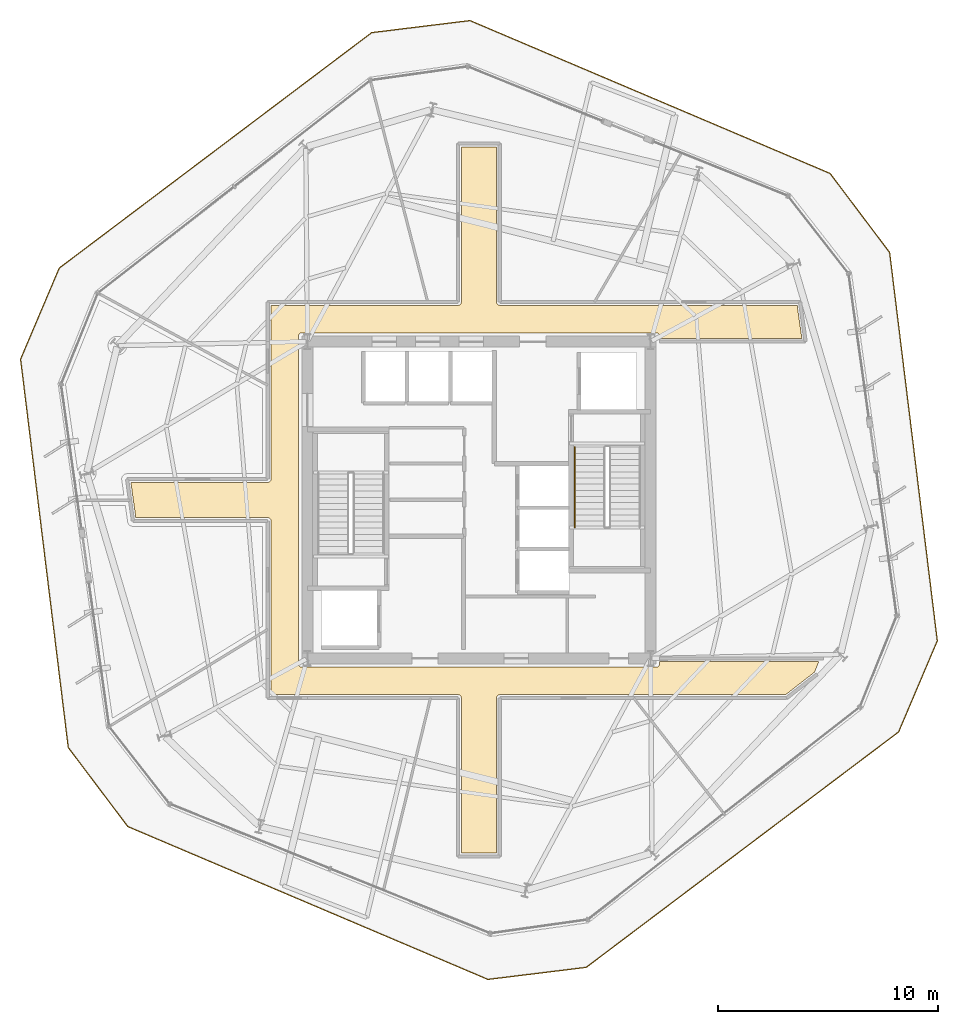
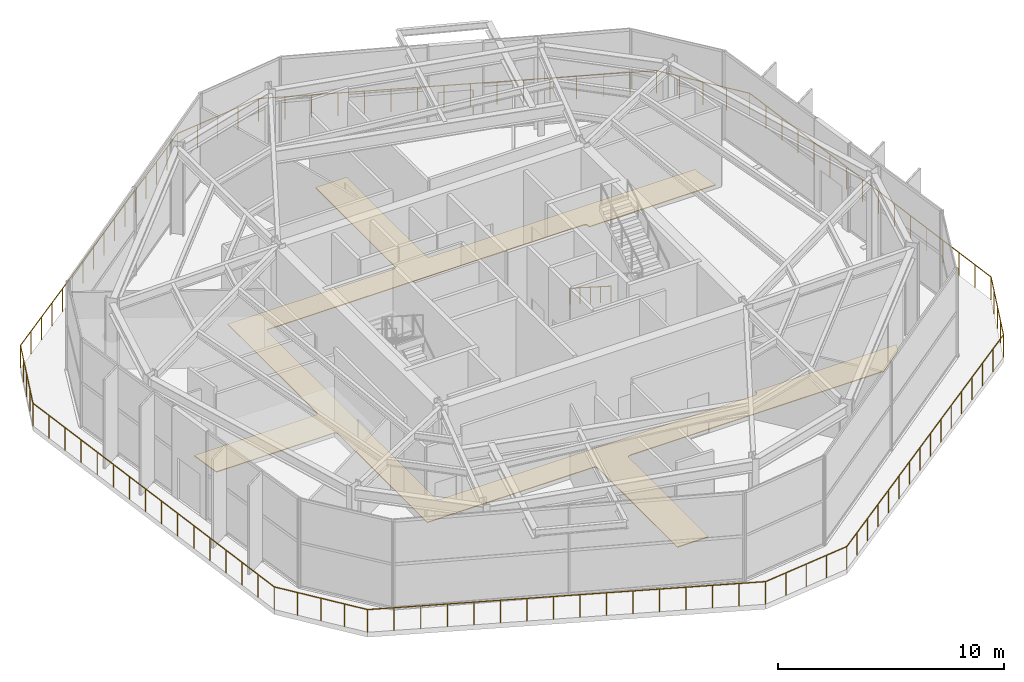
# One storey, part 13 of 14: 2 railings, 1 covering.
"""IFC4 building model written with IfcOpenShell, lengths in metres."""

from ifc_helpers import new_model, si_unit, direction, frame, origin, origin_2d, place, context, subcontext, project, spatial, polyline, circle, outline, extrude, material, layer, layer_set, type_object, element, save


model = new_model("IFC4")

# Units and contexts
model_context = context("Model", 3, precision=1e-05, world=origin(), true_north=direction((0.0, 1.0)))
body_context = subcontext(model_context, "Body", "Model", "MODEL_VIEW")
ifc_project = project(units=[si_unit("LENGTHUNIT", "METRE"), si_unit("AREAUNIT", "SQUARE_METRE"), si_unit("VOLUMEUNIT", "CUBIC_METRE"), si_unit("PLANEANGLEUNIT", "RADIAN"), si_unit("MASSUNIT", "GRAM", prefix="KILO")], contexts=[model_context])

# Site, building, storey
site_placement = place(None, origin())
site = spatial("IfcSite", under=ifc_project, at=site_placement, CompositionType="ELEMENT")
building_placement = place(site_placement, origin())
building = spatial("IfcBuilding", under=site, at=building_placement, Name="Kranzbogen Civic Tower", CompositionType="ELEMENT")
storey_placement = place(building_placement, frame((0.0, 0.0, 175.800048828125)))
storey = spatial("IfcBuildingStorey", under=building, at=storey_placement, Name="L42", CompositionType="ELEMENT", Elevation=175.800048828125)

# Covering
ifc_material_1 = material(Name="Honed Natural Stone Flooring", Category="masonry")
ifc_layer = layer(ifc_material_1, 0.0400390625, Name="Honed Natural Stone Flooring")
ifc_layer_set = layer_set([ifc_layer], Name="Honed Natural Stone Flooring")
covering_type = type_object("IfcCoveringType", Name="Honed Limestone Lobby Flooring 40 mm", PredefinedType="FLOORING", material=ifc_layer_set)
covering_placement = place(storey_placement, origin())
element("IfcCovering", 1, at=covering_placement, inside=storey, type_object=covering_type, Name="L42 concourse stone flooring 1", PredefinedType="FLOORING", context=body_context, shape_type="SweptSolid", body=[
    extrude(outline(polyline([(15.550048828125, 16.14990234375), (15.550048828125, 24.050048828125), (15.549072265625, 24.06494140625), (15.547119140625, 24.0791015625), (15.5439453125, 24.093994140625), (15.5390625, 24.10693359375), (15.531982421875, 24.12109375), (15.52490234375, 24.133056640625), (15.51611328125, 24.14501953125), (15.506103515625, 24.156005859375), (15.4951171875, 24.166015625), (15.48291015625, 24.175048828125), (15.470947265625, 24.181884765625), (15.45703125, 24.18896484375), (15.444091796875, 24.194091796875), (15.428955078125, 24.197021484375), (15.4150390625, 24.198974609375), (15.39990234375, 24.199951171875), (9.404052734375, 24.199951171875), (9.179931640625, 25.800048828125), (15.39990234375, 25.800048828125), (15.4150390625, 25.801025390625), (15.428955078125, 25.802978515625), (15.444091796875, 25.805908203125), (15.45703125, 25.81103515625), (15.470947265625, 25.818115234375), (15.48291015625, 25.824951171875), (15.4951171875, 25.833984375), (15.506103515625, 25.843994140625), (15.51611328125, 25.85498046875), (15.52490234375, 25.866943359375), (15.531982421875, 25.87890625), (15.5390625, 25.89306640625), (15.5439453125, 25.906005859375), (15.547119140625, 25.9208984375), (15.549072265625, 25.93505859375), (15.550048828125, 25.949951171875), (15.550048828125, 33.85009765625), (24.050048828125, 33.85009765625), (24.06494140625, 33.85107421875), (24.0791015625, 33.85302734375), (24.093994140625, 33.85595703125), (24.10693359375, 33.861083984375), (24.12109375, 33.867919921875), (24.133056640625, 33.875), (24.14501953125, 33.884033203125), (24.156005859375, 33.89404296875), (24.166015625, 33.905029296875), (24.175048828125, 33.9169921875), (24.181884765625, 33.928955078125), (24.18896484375, 33.943115234375), (24.194091796875, 33.9560546875), (24.197021484375, 33.970947265625), (24.198974609375, 33.985107421875), (24.199951171875, 34.0), (24.199951171875, 41.050048828125), (25.800048828125, 41.050048828125), (25.800048828125, 34.0), (25.801025390625, 33.985107421875), (25.802978515625, 33.970947265625), (25.805908203125, 33.9560546875), (25.81103515625, 33.943115234375), (25.818115234375, 33.928955078125), (25.824951171875, 33.9169921875), (25.833984375, 33.905029296875), (25.843994140625, 33.89404296875), (25.85498046875, 33.884033203125), (25.866943359375, 33.875), (25.87890625, 33.867919921875), (25.89306640625, 33.861083984375), (25.906005859375, 33.85595703125), (25.9208984375, 33.85302734375), (25.93505859375, 33.85107421875), (25.949951171875, 33.85009765625), (39.464111328125, 33.85009765625), (39.675048828125, 32.35009765625), (33.199951171875, 32.35009765625), (33.199951171875, 32.449951171875), (33.198974609375, 32.465087890625), (33.197021484375, 32.47900390625), (33.194091796875, 32.493896484375), (33.18896484375, 32.507080078125), (33.181884765625, 32.52099609375), (33.175048828125, 32.532958984375), (33.166015625, 32.544921875), (33.156005859375, 32.555908203125), (33.14501953125, 32.56591796875), (33.133056640625, 32.574951171875), (33.12109375, 32.58203125), (33.10693359375, 32.589111328125), (33.093994140625, 32.593994140625), (33.0791015625, 32.596923828125), (33.06494140625, 32.59912109375), (33.050048828125, 32.60009765625), (16.949951171875, 32.60009765625), (16.93505859375, 32.59912109375), (16.9208984375, 32.596923828125), (16.906005859375, 32.593994140625), (16.89306640625, 32.589111328125), (16.87890625, 32.58203125), (16.866943359375, 32.574951171875), (16.85498046875, 32.56591796875), (16.843994140625, 32.555908203125), (16.833984375, 32.544921875), (16.824951171875, 32.532958984375), (16.818115234375, 32.52099609375), (16.81103515625, 32.507080078125), (16.805908203125, 32.493896484375), (16.802978515625, 32.47900390625), (16.801025390625, 32.465087890625), (16.800048828125, 32.449951171875), (16.800048828125, 17.550048828125), (16.801025390625, 17.534912109375), (16.802978515625, 17.52099609375), (16.805908203125, 17.506103515625), (16.81103515625, 17.492919921875), (16.818115234375, 17.47900390625), (16.824951171875, 17.467041015625), (16.833984375, 17.455078125), (16.843994140625, 17.444091796875), (16.85498046875, 17.43408203125), (16.866943359375, 17.425048828125), (16.87890625, 17.41796875), (16.89306640625, 17.410888671875), (16.906005859375, 17.406005859375), (16.9208984375, 17.403076171875), (16.93505859375, 17.40087890625), (16.949951171875, 17.39990234375), (33.050048828125, 17.39990234375), (33.06494140625, 17.40087890625), (33.0791015625, 17.403076171875), (33.093994140625, 17.406005859375), (33.10693359375, 17.410888671875), (33.12109375, 17.41796875), (33.133056640625, 17.425048828125), (33.14501953125, 17.43408203125), (33.156005859375, 17.444091796875), (33.166015625, 17.455078125), (33.175048828125, 17.467041015625), (33.181884765625, 17.47900390625), (33.18896484375, 17.492919921875), (33.194091796875, 17.506103515625), (33.197021484375, 17.52099609375), (33.198974609375, 17.534912109375), (33.199951171875, 17.550048828125), (33.199951171875, 17.64990234375), (40.443115234375, 17.64990234375), (40.2509765625, 17.176025390625), (38.93798828125, 16.14990234375), (25.949951171875, 16.14990234375), (25.93505859375, 16.14892578125), (25.9208984375, 16.14697265625), (25.906005859375, 16.14404296875), (25.89306640625, 16.138916015625), (25.87890625, 16.132080078125), (25.866943359375, 16.125), (25.85498046875, 16.115966796875), (25.843994140625, 16.10595703125), (25.833984375, 16.094970703125), (25.824951171875, 16.0830078125), (25.818115234375, 16.071044921875), (25.81103515625, 16.056884765625), (25.805908203125, 16.0439453125), (25.802978515625, 16.029052734375), (25.801025390625, 16.014892578125), (25.800048828125, 16.0), (25.800048828125, 8.949951171875), (24.199951171875, 8.949951171875), (24.199951171875, 16.0), (24.198974609375, 16.014892578125), (24.197021484375, 16.029052734375), (24.194091796875, 16.0439453125), (24.18896484375, 16.056884765625), (24.181884765625, 16.071044921875), (24.175048828125, 16.0830078125), (24.166015625, 16.094970703125), (24.156005859375, 16.10595703125), (24.14501953125, 16.115966796875), (24.133056640625, 16.125), (24.12109375, 16.132080078125), (24.10693359375, 16.138916015625), (24.093994140625, 16.14404296875), (24.0791015625, 16.14697265625), (24.06494140625, 16.14892578125), (24.050048828125, 16.14990234375), (15.550048828125, 16.14990234375)])), origin(), (0.0, 0.0, 1.0), 0.0400390625),
])

# Railings
ifc_material_2 = material(Name="Pale Anodised Aluminium", Category="aluminium")
railing_type_1 = type_object("IfcRailingType", Name="Setback and Roof Garden Safety Balustrade 1250", PredefinedType="BALUSTRADE", material=ifc_material_2)
railing_1_placement = place(storey_placement, frame((40.9599609375, 39.843994140625, 0.0)))
element("IfcRailing", 2, at=railing_1_placement, inside=storey, type_object=railing_type_1, Name="L42 setback terrace perimeter balustrade", PredefinedType="BALUSTRADE", context=body_context, shape_type="SweptSolid", body=[
    extrude(circle(Radius=0.02392578125, at=origin_2d()), frame((0.0, 0.0, 1.22607421875), z_axis=(-0.920508621129, 0.390722252281, 0.0), x_axis=(-0.390722252281, -0.920508621129, 0.0)), (0.0, 0.0, 1.0), 17.782470703125),
    extrude(circle(Radius=0.02392578125, at=origin_2d()), frame((-16.368896484375, 6.947998046875, 1.22607421875), z_axis=(-0.992553356095, -0.121810653498, 0.0), x_axis=(0.121810653498, -0.992553356095, 0.0)), (0.0, 0.0, 1.0), 4.49951171875),
    extrude(circle(Radius=0.02392578125, at=origin_2d()), frame((-20.8349609375, 6.39990234375, 1.22607421875), z_axis=(-0.798635461538, -0.601815087526, 0.0), x_axis=(0.601815087526, -0.798635461538, 0.0)), (0.0, 0.0, 1.0), 17.78271484375),
    extrude(circle(Radius=0.02392578125, at=origin_2d()), frame((-35.036865234375, -4.302001953125, 1.22607421875), z_axis=(-0.390701717775, -0.920517337005, 0.0), x_axis=(0.920517337005, -0.390701717775, 0.0)), (0.0, 0.0, 1.0), 4.499755859375),
    extrude(circle(Radius=0.02392578125, at=origin_2d()), frame((-36.794921875, -8.444091796875, 1.22607421875), z_axis=(0.121861403367, -0.992547126523, 0.0), x_axis=(0.992547126523, 0.121861403367, 0.0)), (0.0, 0.0, 1.0), 17.782470703125),
    extrude(circle(Radius=0.02392578125, at=origin_2d()), frame((-34.6279296875, -26.093994140625, 1.22607421875), z_axis=(0.601778025116, -0.798663388724, 0.0), x_axis=(0.798663388724, 0.601778025116, 0.0)), (0.0, 0.0, 1.0), 4.5),
    extrude(circle(Radius=0.02392578125, at=origin_2d()), frame((-31.919921875, -29.68798828125, 1.22607421875), z_axis=(0.920508621129, -0.390722252281, 0.0), x_axis=(0.390722252281, 0.920508621129, 0.0)), (0.0, 0.0, 1.0), 17.782470703125),
    extrude(circle(Radius=0.02392578125, at=origin_2d()), frame((-15.551025390625, -36.635986328125, 1.22607421875), z_axis=(0.992553356095, 0.121810653498, 0.0), x_axis=(-0.121810653498, 0.992553356095, 0.0)), (0.0, 0.0, 1.0), 4.49951171875),
    extrude(circle(Radius=0.02392578125, at=origin_2d()), frame((-11.0849609375, -36.087890625, 1.22607421875), z_axis=(0.798635461538, 0.601815087526, 0.0), x_axis=(-0.601815087526, 0.798635461538, 0.0)), (0.0, 0.0, 1.0), 17.78271484375),
    extrude(circle(Radius=0.02392578125, at=origin_2d()), frame((3.116943359375, -25.385986328125, 1.22607421875), z_axis=(0.390701717775, 0.920517337005, 0.0), x_axis=(-0.920517337005, 0.390701717775, 0.0)), (0.0, 0.0, 1.0), 4.499755859375),
    extrude(circle(Radius=0.02392578125, at=origin_2d()), frame((4.875, -21.243896484375, 1.22607421875), z_axis=(-0.121861403367, 0.992547126523, 0.0), x_axis=(-0.992547126523, -0.121861403367, 0.0)), (0.0, 0.0, 1.0), 17.782470703125),
    extrude(circle(Radius=0.02392578125, at=origin_2d()), frame((2.7080078125, -3.593994140625, 1.22607421875), z_axis=(-0.601778025116, 0.798663388724, 0.0), x_axis=(-0.798663388724, -0.601778025116, 0.0)), (0.0, 0.0, 1.0), 4.5),
    extrude(circle(Radius=0.02099609375, at=origin_2d()), origin(), (0.0, 0.0, 1.0), 1.201904296875),
    extrude(circle(Radius=0.02099609375, at=origin_2d()), frame((-1.09130859375, 0.463134765625, 0.0)), (0.0, 0.0, 1.0), 1.201904296875),
    extrude(circle(Radius=0.02099609375, at=origin_2d()), frame((-2.1826171875, 0.926513671875, 0.0)), (0.0, 0.0, 1.0), 1.201904296875),
    extrude(circle(Radius=0.02099609375, at=origin_2d()), frame((-3.273681640625, 1.3896484375, 0.0)), (0.0, 0.0, 1.0), 1.201904296875),
    extrude(circle(Radius=0.02099609375, at=origin_2d()), frame((-4.364990234375, 1.852783203125, 0.0)), (0.0, 0.0, 1.0), 1.201904296875),
    extrude(circle(Radius=0.02099609375, at=origin_2d()), frame((-5.456298828125, 2.31591796875, 0.0)), (0.0, 0.0, 1.0), 1.201904296875),
    extrude(circle(Radius=0.02099609375, at=origin_2d()), frame((-6.547607421875, 2.779296875, 0.0)), (0.0, 0.0, 1.0), 1.201904296875),
    extrude(circle(Radius=0.02099609375, at=origin_2d()), frame((-7.638916015625, 3.242431640625, 0.0)), (0.0, 0.0, 1.0), 1.201904296875),
    extrude(circle(Radius=0.02099609375, at=origin_2d()), frame((-8.72998046875, 3.70556640625, 0.0)), (0.0, 0.0, 1.0), 1.201904296875),
    extrude(circle(Radius=0.02099609375, at=origin_2d()), frame((-9.8212890625, 4.168701171875, 0.0)), (0.0, 0.0, 1.0), 1.201904296875),
    extrude(circle(Radius=0.02099609375, at=origin_2d()), frame((-10.91259765625, 4.632080078125, 0.0)), (0.0, 0.0, 1.0), 1.201904296875),
    extrude(circle(Radius=0.02099609375, at=origin_2d()), frame((-12.00390625, 5.09521484375, 0.0)), (0.0, 0.0, 1.0), 1.201904296875),
    extrude(circle(Radius=0.02099609375, at=origin_2d()), frame((-13.09521484375, 5.558349609375, 0.0)), (0.0, 0.0, 1.0), 1.201904296875),
    extrude(circle(Radius=0.02099609375, at=origin_2d()), frame((-14.186279296875, 6.021484375, 0.0)), (0.0, 0.0, 1.0), 1.201904296875),
    extrude(circle(Radius=0.02099609375, at=origin_2d()), frame((-15.277587890625, 6.48486328125, 0.0)), (0.0, 0.0, 1.0), 1.201904296875),
    extrude(circle(Radius=0.02099609375, at=origin_2d()), frame((-16.368896484375, 6.947998046875, 0.0)), (0.0, 0.0, 1.0), 1.201904296875),
    extrude(circle(Radius=0.02099609375, at=origin_2d()), frame((-17.4853515625, 6.81103515625, 0.0)), (0.0, 0.0, 1.0), 1.201904296875),
    extrude(circle(Radius=0.02099609375, at=origin_2d()), frame((-18.60205078125, 6.673828125, 0.0)), (0.0, 0.0, 1.0), 1.201904296875),
    extrude(circle(Radius=0.02099609375, at=origin_2d()), frame((-19.718505859375, 6.536865234375, 0.0)), (0.0, 0.0, 1.0), 1.201904296875),
    extrude(circle(Radius=0.02099609375, at=origin_2d()), frame((-20.8349609375, 6.39990234375, 0.0)), (0.0, 0.0, 1.0), 1.201904296875),
    extrude(circle(Radius=0.02099609375, at=origin_2d()), frame((-21.78173828125, 5.6865234375, 0.0)), (0.0, 0.0, 1.0), 1.201904296875),
    extrude(circle(Radius=0.02099609375, at=origin_2d()), frame((-22.728515625, 4.972900390625, 0.0)), (0.0, 0.0, 1.0), 1.201904296875),
    extrude(circle(Radius=0.02099609375, at=origin_2d()), frame((-23.67529296875, 4.259521484375, 0.0)), (0.0, 0.0, 1.0), 1.201904296875),
    extrude(circle(Radius=0.02099609375, at=origin_2d()), frame((-24.6220703125, 3.546142578125, 0.0)), (0.0, 0.0, 1.0), 1.201904296875),
    extrude(circle(Radius=0.02099609375, at=origin_2d()), frame((-25.56884765625, 2.83251953125, 0.0)), (0.0, 0.0, 1.0), 1.201904296875),
    extrude(circle(Radius=0.02099609375, at=origin_2d()), frame((-26.515625, 2.119140625, 0.0)), (0.0, 0.0, 1.0), 1.201904296875),
    extrude(circle(Radius=0.02099609375, at=origin_2d()), frame((-27.46240234375, 1.40576171875, 0.0)), (0.0, 0.0, 1.0), 1.201904296875),
    extrude(circle(Radius=0.02099609375, at=origin_2d()), frame((-28.409423828125, 0.692138671875, 0.0)), (0.0, 0.0, 1.0), 1.201904296875),
    extrude(circle(Radius=0.02099609375, at=origin_2d()), frame((-29.356201171875, -0.021240234375, 0.0)), (0.0, 0.0, 1.0), 1.201904296875),
    extrude(circle(Radius=0.02099609375, at=origin_2d()), frame((-30.302978515625, -0.734619140625, 0.0)), (0.0, 0.0, 1.0), 1.201904296875),
    extrude(circle(Radius=0.02099609375, at=origin_2d()), frame((-31.249755859375, -1.4482421875, 0.0)), (0.0, 0.0, 1.0), 1.201904296875),
    extrude(circle(Radius=0.02099609375, at=origin_2d()), frame((-32.196533203125, -2.16162109375, 0.0)), (0.0, 0.0, 1.0), 1.201904296875),
    extrude(circle(Radius=0.02099609375, at=origin_2d()), frame((-33.143310546875, -2.875, 0.0)), (0.0, 0.0, 1.0), 1.201904296875),
    extrude(circle(Radius=0.02099609375, at=origin_2d()), frame((-34.090087890625, -3.588623046875, 0.0)), (0.0, 0.0, 1.0), 1.201904296875),
    extrude(circle(Radius=0.02099609375, at=origin_2d()), frame((-35.036865234375, -4.302001953125, 0.0)), (0.0, 0.0, 1.0), 1.201904296875),
    extrude(circle(Radius=0.02099609375, at=origin_2d()), frame((-35.476318359375, -5.33740234375, 0.0)), (0.0, 0.0, 1.0), 1.201904296875),
    extrude(circle(Radius=0.02099609375, at=origin_2d()), frame((-35.916015625, -6.373046875, 0.0)), (0.0, 0.0, 1.0), 1.201904296875),
    extrude(circle(Radius=0.02099609375, at=origin_2d()), frame((-36.35546875, -7.40869140625, 0.0)), (0.0, 0.0, 1.0), 1.201904296875),
    extrude(circle(Radius=0.02099609375, at=origin_2d()), frame((-36.794921875, -8.444091796875, 0.0)), (0.0, 0.0, 1.0), 1.201904296875),
    extrude(circle(Radius=0.02099609375, at=origin_2d()), frame((-36.650390625, -9.620849609375, 0.0)), (0.0, 0.0, 1.0), 1.201904296875),
    extrude(circle(Radius=0.02099609375, at=origin_2d()), frame((-36.506103515625, -10.79736328125, 0.0)), (0.0, 0.0, 1.0), 1.201904296875),
    extrude(circle(Radius=0.02099609375, at=origin_2d()), frame((-36.361572265625, -11.97412109375, 0.0)), (0.0, 0.0, 1.0), 1.201904296875),
    extrude(circle(Radius=0.02099609375, at=origin_2d()), frame((-36.217041015625, -13.150634765625, 0.0)), (0.0, 0.0, 1.0), 1.201904296875),
    extrude(circle(Radius=0.02099609375, at=origin_2d()), frame((-36.072509765625, -14.327392578125, 0.0)), (0.0, 0.0, 1.0), 1.201904296875),
    extrude(circle(Radius=0.02099609375, at=origin_2d()), frame((-35.92822265625, -15.504150390625, 0.0)), (0.0, 0.0, 1.0), 1.201904296875),
    extrude(circle(Radius=0.02099609375, at=origin_2d()), frame((-35.78369140625, -16.6806640625, 0.0)), (0.0, 0.0, 1.0), 1.201904296875),
    extrude(circle(Radius=0.02099609375, at=origin_2d()), frame((-35.63916015625, -17.857421875, 0.0)), (0.0, 0.0, 1.0), 1.201904296875),
    extrude(circle(Radius=0.02099609375, at=origin_2d()), frame((-35.49462890625, -19.033935546875, 0.0)), (0.0, 0.0, 1.0), 1.201904296875),
    extrude(circle(Radius=0.02099609375, at=origin_2d()), frame((-35.350341796875, -20.210693359375, 0.0)), (0.0, 0.0, 1.0), 1.201904296875),
    extrude(circle(Radius=0.02099609375, at=origin_2d()), frame((-35.205810546875, -21.387451171875, 0.0)), (0.0, 0.0, 1.0), 1.201904296875),
    extrude(circle(Radius=0.02099609375, at=origin_2d()), frame((-35.061279296875, -22.56396484375, 0.0)), (0.0, 0.0, 1.0), 1.201904296875),
    extrude(circle(Radius=0.02099609375, at=origin_2d()), frame((-34.916748046875, -23.74072265625, 0.0)), (0.0, 0.0, 1.0), 1.201904296875),
    extrude(circle(Radius=0.02099609375, at=origin_2d()), frame((-34.7724609375, -24.917236328125, 0.0)), (0.0, 0.0, 1.0), 1.201904296875),
    extrude(circle(Radius=0.02099609375, at=origin_2d()), frame((-34.6279296875, -26.093994140625, 0.0)), (0.0, 0.0, 1.0), 1.201904296875),
    extrude(circle(Radius=0.02099609375, at=origin_2d()), frame((-33.950927734375, -26.992431640625, 0.0)), (0.0, 0.0, 1.0), 1.201904296875),
    extrude(circle(Radius=0.02099609375, at=origin_2d()), frame((-33.27392578125, -27.89111328125, 0.0)), (0.0, 0.0, 1.0), 1.201904296875),
    extrude(circle(Radius=0.02099609375, at=origin_2d()), frame((-32.596923828125, -28.78955078125, 0.0)), (0.0, 0.0, 1.0), 1.201904296875),
    extrude(circle(Radius=0.02099609375, at=origin_2d()), frame((-31.919921875, -29.68798828125, 0.0)), (0.0, 0.0, 1.0), 1.201904296875),
    extrude(circle(Radius=0.02099609375, at=origin_2d()), frame((-30.82861328125, -30.151123046875, 0.0)), (0.0, 0.0, 1.0), 1.201904296875),
    extrude(circle(Radius=0.02099609375, at=origin_2d()), frame((-29.7373046875, -30.614501953125, 0.0)), (0.0, 0.0, 1.0), 1.201904296875),
    extrude(circle(Radius=0.02099609375, at=origin_2d()), frame((-28.646240234375, -31.07763671875, 0.0)), (0.0, 0.0, 1.0), 1.201904296875),
    extrude(circle(Radius=0.02099609375, at=origin_2d()), frame((-27.554931640625, -31.540771484375, 0.0)), (0.0, 0.0, 1.0), 1.201904296875),
    extrude(circle(Radius=0.02099609375, at=origin_2d()), frame((-26.463623046875, -32.00390625, 0.0)), (0.0, 0.0, 1.0), 1.201904296875),
    extrude(circle(Radius=0.02099609375, at=origin_2d()), frame((-25.372314453125, -32.46728515625, 0.0)), (0.0, 0.0, 1.0), 1.201904296875),
    extrude(circle(Radius=0.02099609375, at=origin_2d()), frame((-24.281005859375, -32.930419921875, 0.0)), (0.0, 0.0, 1.0), 1.201904296875),
    extrude(circle(Radius=0.02099609375, at=origin_2d()), frame((-23.18994140625, -33.3935546875, 0.0)), (0.0, 0.0, 1.0), 1.201904296875),
    extrude(circle(Radius=0.02099609375, at=origin_2d()), frame((-22.0986328125, -33.856689453125, 0.0)), (0.0, 0.0, 1.0), 1.201904296875),
    extrude(circle(Radius=0.02099609375, at=origin_2d()), frame((-21.00732421875, -34.320068359375, 0.0)), (0.0, 0.0, 1.0), 1.201904296875),
    extrude(circle(Radius=0.02099609375, at=origin_2d()), frame((-19.916015625, -34.783203125, 0.0)), (0.0, 0.0, 1.0), 1.201904296875),
    extrude(circle(Radius=0.02099609375, at=origin_2d()), frame((-18.82470703125, -35.246337890625, 0.0)), (0.0, 0.0, 1.0), 1.201904296875),
    extrude(circle(Radius=0.02099609375, at=origin_2d()), frame((-17.733642578125, -35.70947265625, 0.0)), (0.0, 0.0, 1.0), 1.201904296875),
    extrude(circle(Radius=0.02099609375, at=origin_2d()), frame((-16.642333984375, -36.1728515625, 0.0)), (0.0, 0.0, 1.0), 1.201904296875),
    extrude(circle(Radius=0.02099609375, at=origin_2d()), frame((-15.551025390625, -36.635986328125, 0.0)), (0.0, 0.0, 1.0), 1.201904296875),
    extrude(circle(Radius=0.02099609375, at=origin_2d()), frame((-14.4345703125, -36.4990234375, 0.0)), (0.0, 0.0, 1.0), 1.201904296875),
    extrude(circle(Radius=0.02099609375, at=origin_2d()), frame((-13.31787109375, -36.36181640625, 0.0)), (0.0, 0.0, 1.0), 1.201904296875),
    extrude(circle(Radius=0.02099609375, at=origin_2d()), frame((-12.201416015625, -36.224853515625, 0.0)), (0.0, 0.0, 1.0), 1.201904296875),
    extrude(circle(Radius=0.02099609375, at=origin_2d()), frame((-11.0849609375, -36.087890625, 0.0)), (0.0, 0.0, 1.0), 1.201904296875),
    extrude(circle(Radius=0.02099609375, at=origin_2d()), frame((-10.13818359375, -35.37451171875, 0.0)), (0.0, 0.0, 1.0), 1.201904296875),
    extrude(circle(Radius=0.02099609375, at=origin_2d()), frame((-9.19140625, -34.660888671875, 0.0)), (0.0, 0.0, 1.0), 1.201904296875),
    extrude(circle(Radius=0.02099609375, at=origin_2d()), frame((-8.24462890625, -33.947509765625, 0.0)), (0.0, 0.0, 1.0), 1.201904296875),
    extrude(circle(Radius=0.02099609375, at=origin_2d()), frame((-7.2978515625, -33.234130859375, 0.0)), (0.0, 0.0, 1.0), 1.201904296875),
    extrude(circle(Radius=0.02099609375, at=origin_2d()), frame((-6.35107421875, -32.5205078125, 0.0)), (0.0, 0.0, 1.0), 1.201904296875),
    extrude(circle(Radius=0.02099609375, at=origin_2d()), frame((-5.404296875, -31.80712890625, 0.0)), (0.0, 0.0, 1.0), 1.201904296875),
    extrude(circle(Radius=0.02099609375, at=origin_2d()), frame((-4.45751953125, -31.09375, 0.0)), (0.0, 0.0, 1.0), 1.201904296875),
    extrude(circle(Radius=0.02099609375, at=origin_2d()), frame((-3.510498046875, -30.380126953125, 0.0)), (0.0, 0.0, 1.0), 1.201904296875),
    extrude(circle(Radius=0.02099609375, at=origin_2d()), frame((-2.563720703125, -29.666748046875, 0.0)), (0.0, 0.0, 1.0), 1.201904296875),
    extrude(circle(Radius=0.02099609375, at=origin_2d()), frame((-1.616943359375, -28.953369140625, 0.0)), (0.0, 0.0, 1.0), 1.201904296875),
    extrude(circle(Radius=0.02099609375, at=origin_2d()), frame((-0.670166015625, -28.23974609375, 0.0)), (0.0, 0.0, 1.0), 1.201904296875),
    extrude(circle(Radius=0.02099609375, at=origin_2d()), frame((0.276611328125, -27.5263671875, 0.0)), (0.0, 0.0, 1.0), 1.201904296875),
    extrude(circle(Radius=0.02099609375, at=origin_2d()), frame((1.223388671875, -26.81298828125, 0.0)), (0.0, 0.0, 1.0), 1.201904296875),
    extrude(circle(Radius=0.02099609375, at=origin_2d()), frame((2.170166015625, -26.099365234375, 0.0)), (0.0, 0.0, 1.0), 1.201904296875),
    extrude(circle(Radius=0.02099609375, at=origin_2d()), frame((3.116943359375, -25.385986328125, 0.0)), (0.0, 0.0, 1.0), 1.201904296875),
    extrude(circle(Radius=0.02099609375, at=origin_2d()), frame((3.556396484375, -24.3505859375, 0.0)), (0.0, 0.0, 1.0), 1.201904296875),
    extrude(circle(Radius=0.02099609375, at=origin_2d()), frame((3.99609375, -23.31494140625, 0.0)), (0.0, 0.0, 1.0), 1.201904296875),
    extrude(circle(Radius=0.02099609375, at=origin_2d()), frame((4.435546875, -22.279296875, 0.0)), (0.0, 0.0, 1.0), 1.201904296875),
    extrude(circle(Radius=0.02099609375, at=origin_2d()), frame((4.875, -21.243896484375, 0.0)), (0.0, 0.0, 1.0), 1.201904296875),
    extrude(circle(Radius=0.02099609375, at=origin_2d()), frame((4.73046875, -20.067138671875, 0.0)), (0.0, 0.0, 1.0), 1.201904296875),
    extrude(circle(Radius=0.02099609375, at=origin_2d()), frame((4.586181640625, -18.890625, 0.0)), (0.0, 0.0, 1.0), 1.201904296875),
    extrude(circle(Radius=0.02099609375, at=origin_2d()), frame((4.441650390625, -17.7138671875, 0.0)), (0.0, 0.0, 1.0), 1.201904296875),
    extrude(circle(Radius=0.02099609375, at=origin_2d()), frame((4.297119140625, -16.537353515625, 0.0)), (0.0, 0.0, 1.0), 1.201904296875),
    extrude(circle(Radius=0.02099609375, at=origin_2d()), frame((4.152587890625, -15.360595703125, 0.0)), (0.0, 0.0, 1.0), 1.201904296875),
    extrude(circle(Radius=0.02099609375, at=origin_2d()), frame((4.00830078125, -14.183837890625, 0.0)), (0.0, 0.0, 1.0), 1.201904296875),
    extrude(circle(Radius=0.02099609375, at=origin_2d()), frame((3.86376953125, -13.00732421875, 0.0)), (0.0, 0.0, 1.0), 1.201904296875),
    extrude(circle(Radius=0.02099609375, at=origin_2d()), frame((3.71923828125, -11.83056640625, 0.0)), (0.0, 0.0, 1.0), 1.201904296875),
    extrude(circle(Radius=0.02099609375, at=origin_2d()), frame((3.57470703125, -10.654052734375, 0.0)), (0.0, 0.0, 1.0), 1.201904296875),
    extrude(circle(Radius=0.02099609375, at=origin_2d()), frame((3.430419921875, -9.477294921875, 0.0)), (0.0, 0.0, 1.0), 1.201904296875),
    extrude(circle(Radius=0.02099609375, at=origin_2d()), frame((3.285888671875, -8.300537109375, 0.0)), (0.0, 0.0, 1.0), 1.201904296875),
    extrude(circle(Radius=0.02099609375, at=origin_2d()), frame((3.141357421875, -7.1240234375, 0.0)), (0.0, 0.0, 1.0), 1.201904296875),
    extrude(circle(Radius=0.02099609375, at=origin_2d()), frame((2.996826171875, -5.947265625, 0.0)), (0.0, 0.0, 1.0), 1.201904296875),
    extrude(circle(Radius=0.02099609375, at=origin_2d()), frame((2.8525390625, -4.770751953125, 0.0)), (0.0, 0.0, 1.0), 1.201904296875),
    extrude(circle(Radius=0.02099609375, at=origin_2d()), frame((2.7080078125, -3.593994140625, 0.0)), (0.0, 0.0, 1.0), 1.201904296875),
    extrude(circle(Radius=0.02099609375, at=origin_2d()), frame((2.031005859375, -2.695556640625, 0.0)), (0.0, 0.0, 1.0), 1.201904296875),
    extrude(circle(Radius=0.02099609375, at=origin_2d()), frame((1.35400390625, -1.796875, 0.0)), (0.0, 0.0, 1.0), 1.201904296875),
    extrude(circle(Radius=0.02099609375, at=origin_2d()), frame((0.677001953125, -0.8984375, 0.0)), (0.0, 0.0, 1.0), 1.201904296875),
])
railing_type_2 = type_object("IfcRailingType", Name="Tubular Stainless Stair Wall Handrail 900", PredefinedType="HANDRAIL", material=ifc_material_2)
railing_2_placement = place(storey_placement, frame((29.35009765625, 27.39990234375, 0.178466796875)))
element("IfcRailing", 3, at=railing_2_placement, inside=storey, type_object=railing_type_2, Name="L42 ST-T2 stair handrail 1", PredefinedType="HANDRAIL", context=body_context, shape_type="SweptSolid", body=[
    extrude(circle(Radius=0.02392578125, at=origin_2d()), frame((0.0, 0.0, 0.8759765625), z_axis=(0.0, -0.843111507901, 0.53773877045), x_axis=(1.0, 0.0, 0.0)), (0.0, 0.0, 1.0), 4.317138671875),
    extrude(circle(Radius=0.02099609375, at=origin_2d()), origin(), (0.0, 0.0, 1.0), 0.851806640625),
    extrude(circle(Radius=0.02099609375, at=origin_2d()), frame((0.0, -0.909912109375, 0.580322265625)), (0.0, 0.0, 1.0), 0.851806640625),
    extrude(circle(Radius=0.02099609375, at=origin_2d()), frame((0.0, -1.81982421875, 1.16064453125)), (0.0, 0.0, 1.0), 0.851806640625),
    extrude(circle(Radius=0.02099609375, at=origin_2d()), frame((0.0, -2.72998046875, 1.7412109375)), (0.0, 0.0, 1.0), 0.851806640625),
    extrude(circle(Radius=0.02099609375, at=origin_2d()), frame((0.0, -3.639892578125, 2.321533203125)), (0.0, 0.0, 1.0), 0.851806640625),
])

save(model, "model.ifc")
